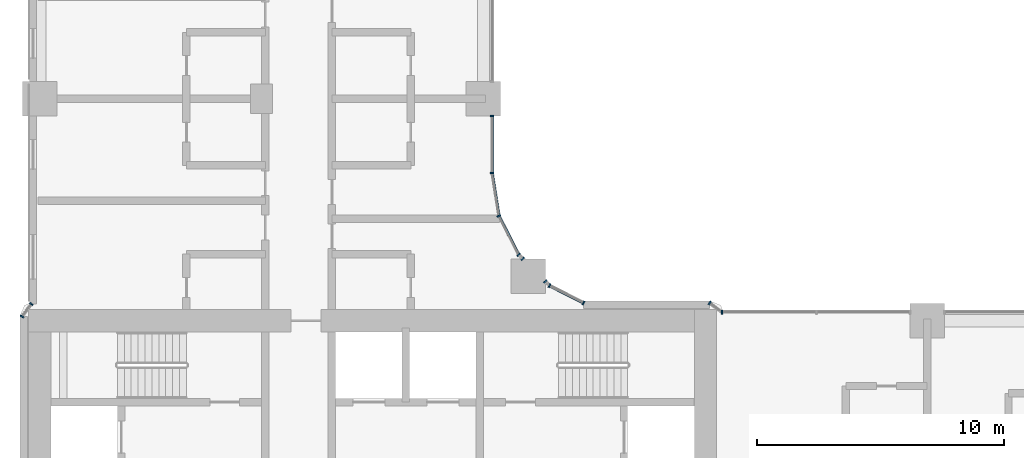
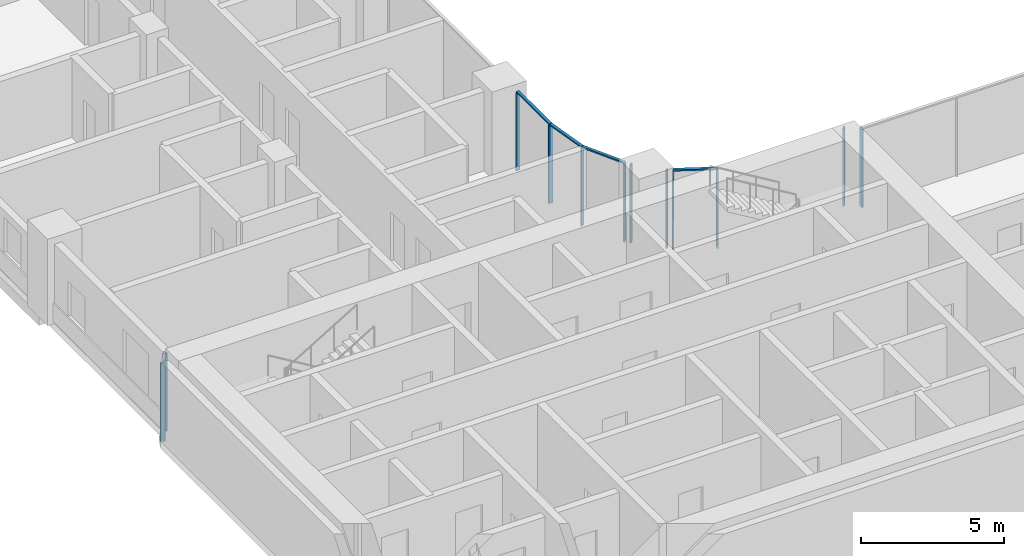
# One storey, part 2 of 31: 16 members, 6 elements without a shape of their own.
"""IFC4 building model written with IfcOpenShell, lengths in metres."""

import ifcopenshell
import ifcopenshell.guid

model = None  # the IFC model being written
_history = None  # IfcOwnerHistory: only IFC2X3 demands one
_inside = {}  # id of a spatial element -> (the spatial element, [elements in it])
_under = {}  # id of a project, library or spatial element -> (it, [spatial elements below it])
_declared = {}  # id of a project -> (the project, [libraries it declares])
_typed = {}  # id of a type object -> (the type object, [elements of that type])
_made_of = {}  # id of a material, layer set ... -> (it, [elements and type objects made of it])


def new_model(schema):
    """Start an empty IFC model of exactly this schema.

    Asked for "IFC4X3", IfcOpenShell would pick the latest addendum, in which some entities
    have other attributes; the version numbers below select the first issue.
    IFC2X3 requires an IfcOwnerHistory on every rooted entity: one is made here for all.
    """
    global model, _history
    if schema == "IFC4X3":
        model = ifcopenshell.file(schema_version=(4, 3, 0, 0))
    else:
        model = ifcopenshell.file(schema=schema)
    _inside.clear()
    _under.clear()
    _declared.clear()
    _typed.clear()
    _made_of.clear()
    _history = None
    if model.schema == "IFC2X3":
        org = make("IfcOrganization", Name="unknown")
        user = make(
            "IfcPersonAndOrganization",
            ThePerson=make("IfcPerson", FamilyName="unknown"),
            TheOrganization=org,
        )
        app = make(
            "IfcApplication",
            ApplicationDeveloper=org,
            Version="unknown",
            ApplicationFullName="unknown",
            ApplicationIdentifier="unknown",
        )
        _history = make(
            "IfcOwnerHistory",
            OwningUser=user,
            OwningApplication=app,
            ChangeAction="ADDED",
            CreationDate=0,
        )
    return model


def make(cls, **values):
    """One entity of the class cls with the attributes given. An attribute that is None is left unset."""
    return model.create_entity(
        cls, **{name: value for name, value in values.items() if value is not None}
    )


def rooted(cls, **values):
    """An entity with a GlobalId (a new one), such as an element, a storey or a relation."""
    return make(cls, GlobalId=ifcopenshell.guid.new(), OwnerHistory=_history, **values)


def si_unit(unit_type, name, prefix=None):
    """IfcSIUnit, for example si_unit("LENGTHUNIT", "METRE", prefix="MILLI")."""
    return make("IfcSIUnit", UnitType=unit_type, Prefix=prefix, Name=name)


def assignment(units):
    """IfcUnitAssignment: the units of a project."""
    return None if units is None else make("IfcUnitAssignment", Units=units)


def point(xyz):
    """IfcCartesianPoint."""
    return None if xyz is None else make("IfcCartesianPoint", Coordinates=xyz)


def direction(xyz):
    """IfcDirection."""
    return None if xyz is None else make("IfcDirection", DirectionRatios=xyz)


def frame(location, z_axis=None, x_axis=None):
    """IfcAxis2Placement3D, a coordinate frame: its origin and axes. An axis left out is left unset."""
    return make(
        "IfcAxis2Placement3D",
        Location=point(location),
        Axis=direction(z_axis),
        RefDirection=direction(x_axis),
    )


def frame_2d(location, x_axis=None):
    """IfcAxis2Placement2D, a coordinate frame in the plane: its origin and x axis."""
    return make(
        "IfcAxis2Placement2D", Location=point(location), RefDirection=direction(x_axis)
    )


def origin():
    """The frame at (0, 0, 0) with its axes left unset."""
    return frame((0.0, 0.0, 0.0))


def origin_2d():
    """The frame at (0, 0) in the plane with its x axis left unset."""
    return frame_2d((0.0, 0.0))


def place(relative_to, where):
    """IfcLocalPlacement: puts the frame where relative to a parent placement (None: the world)."""
    return make(
        "IfcLocalPlacement", PlacementRelTo=relative_to, RelativePlacement=where
    )


def context(
    kind, dimensions, precision=None, world=None, true_north=None, identifier=None
):
    """IfcGeometricRepresentationContext, for example the 3D "Model" context."""
    return make(
        "IfcGeometricRepresentationContext",
        ContextIdentifier=identifier,
        ContextType=kind,
        CoordinateSpaceDimension=dimensions,
        Precision=precision,
        WorldCoordinateSystem=world,
        TrueNorth=true_north,
    )


def subcontext(parent, identifier, kind, view, scale=None):
    """IfcGeometricRepresentationSubContext, for example "Body" below "Model"."""
    return make(
        "IfcGeometricRepresentationSubContext",
        ContextIdentifier=identifier,
        ContextType=kind,
        ParentContext=parent,
        TargetScale=scale,
        TargetView=view,
    )


def project(units=None, contexts=None):
    """IfcProject with its units and contexts."""
    return rooted(
        "IfcProject",
        Name="project",
        RepresentationContexts=contexts,
        UnitsInContext=assignment(units),
    )


def spatial(cls, under=None, at=None, **own):
    """A site, building, storey or space (cls), placed at a placement, below another one or the project."""
    s = rooted(cls, ObjectPlacement=at, **own)
    if under is not None:
        _under.setdefault(under.id(), (under, []))[1].append(s)
    return s


def profile(cls, at=None, kind="AREA", **sizes):
    """A parametric profile (cls). Its sizes go by their IFC names, for example OverallWidth=200.0."""
    return make(cls, ProfileType=kind, Position=at, **sizes)


def rectangle(**sizes):
    """IfcRectangleProfileDef."""
    return profile("IfcRectangleProfileDef", **sizes)


def extrude(swept, where, along, depth):
    """IfcExtrudedAreaSolid: the profile swept, set in the frame where, extruded along a direction by depth."""
    return make(
        "IfcExtrudedAreaSolid",
        SweptArea=swept,
        Position=where,
        ExtrudedDirection=direction(along),
        Depth=depth,
    )


def shape(context_of_items, identifier, shape_type, items):
    """IfcShapeRepresentation: the items that make up one representation, for example the "Body"."""
    return make(
        "IfcShapeRepresentation",
        ContextOfItems=context_of_items,
        RepresentationIdentifier=identifier,
        RepresentationType=shape_type,
        Items=items,
    )


def material(Name=None, Category=None):
    """IfcMaterial."""
    return make("IfcMaterial", Name=Name, Category=Category)


def material_profile(
    of_material, cross_section, Name=None, Category=None, Priority=None
):
    """IfcMaterialProfile: a cross section and its material."""
    return make(
        "IfcMaterialProfile",
        Name=Name,
        Material=of_material,
        Profile=cross_section,
        Priority=Priority,
        Category=Category,
    )


def profile_set(profiles, Name=None, composite=None):
    """IfcMaterialProfileSet."""
    return make(
        "IfcMaterialProfileSet",
        Name=Name,
        MaterialProfiles=profiles,
        CompositeProfile=composite,
    )


def made_of(thing, what):
    """Note that an element or type object is made of a material, layer set ...; save() writes the relation."""
    if what is not None:
        _made_of.setdefault(what.id(), (what, []))[1].append(thing)
    return thing


def type_object(cls, material=None, **own):
    """A type object (cls), such as IfcWallType, which elements share."""
    return made_of(rooted(cls, **own), material)


def element(
    cls,
    number,
    at=None,
    inside=None,
    cuts=None,
    type_object=None,
    material=None,
    context=None,
    identifier="Body",
    shape_type=None,
    held_by="IfcProductDefinitionShape",
    body=None,
    shapes=None,
    **own,
):
    """One element of the class cls, such as IfcWall. Its Tag is "e" and its number.

    at: its placement. inside: the storey or other place that contains it. cuts: it is an
    opening in that element (IfcRelVoidsElement). A single representation is given by context,
    identifier, shape_type and body (its items); several are given by shapes. held_by: the class
    of the entity that holds the representations. save() writes the other relations.
    """
    e = rooted(cls, Tag="e%d" % number, ObjectPlacement=at, **own)
    if body is not None:
        shapes = [shape(context, identifier, shape_type, body)]
    if shapes is not None:
        e.Representation = make(held_by, Representations=shapes)
    if inside is not None:
        _inside.setdefault(inside.id(), (inside, []))[1].append(e)
    if cuts is not None:
        rooted(
            "IfcRelVoidsElement", RelatingBuildingElement=cuts, RelatedOpeningElement=e
        )
    if type_object is not None:
        _typed.setdefault(type_object.id(), (type_object, []))[1].append(e)
    return made_of(e, material)


def aggregate(whole, parts):
    """IfcRelAggregates: a whole, such as a stair, and the parts it consists of."""
    return rooted("IfcRelAggregates", RelatingObject=whole, RelatedObjects=parts)


def save(model, path):
    """Write the relations noted so far, then the file.

    IfcRelAggregates (storeys below a building ...), IfcRelContainedInSpatialStructure (elements
    in a storey), IfcRelDefinesByType, IfcRelAssociatesMaterial and IfcRelDeclares: one each for
    every whole, place, type object, material and project.
    """
    for whole, parts in _under.values():
        aggregate(whole, parts)
    for where, things in _inside.values():
        rooted(
            "IfcRelContainedInSpatialStructure",
            RelatedElements=things,
            RelatingStructure=where,
        )
    for kind, things in _typed.values():
        rooted("IfcRelDefinesByType", RelatedObjects=things, RelatingType=kind)
    for what, things in _made_of.values():
        rooted("IfcRelAssociatesMaterial", RelatedObjects=things, RelatingMaterial=what)
    for by, libraries in _declared.values():
        rooted("IfcRelDeclares", RelatingContext=by, RelatedDefinitions=libraries)
    model.write(path)


model = new_model("IFC4")

# Units and contexts
model_context = context("Model", 3, precision=1e-05, world=origin(), true_north=direction((0.0, 1.0)))
body_context = subcontext(model_context, "Body", "Model", "MODEL_VIEW")
ifc_project = project(units=[si_unit("LENGTHUNIT", "METRE"), si_unit("AREAUNIT", "SQUARE_METRE"), si_unit("VOLUMEUNIT", "CUBIC_METRE"), si_unit("PLANEANGLEUNIT", "RADIAN"), si_unit("MASSUNIT", "GRAM", prefix="KILO")], contexts=[model_context])

# Site, building, storey
site_placement = place(None, origin())
site = spatial("IfcSite", under=ifc_project, at=site_placement, CompositionType="ELEMENT")
building_placement = place(site_placement, origin())
building = spatial("IfcBuilding", under=site, at=building_placement, Name="Ogive Portal Towers", CompositionType="ELEMENT")
storey_placement = place(building_placement, frame((0.0, 0.0, 40.89990234375)))
storey = spatial("IfcBuildingStorey", under=building, at=storey_placement, Name="L08", CompositionType="ELEMENT", Elevation=40.89990234375)

# Curtain wall, members
ifc_material_1 = material(Name="Glass, clear low-iron insulated glazing", Category="glass")
curtain_wall_type = type_object("IfcCurtainWallType", Name="CW FRONT RIBBON 4500", PredefinedType="NOTDEFINED", material=ifc_material_1)
curtain_wall_1_placement = place(storey_placement, origin())
curtain_wall_1 = element("IfcCurtainWall", 1, at=curtain_wall_1_placement, inside=storey, type_object=curtain_wall_type, Name="A:L08:f06:cw0~0", PredefinedType="NOTDEFINED")
ifc_material_2 = material(Name="Aluminium 6063 anodised", Category="aluminium")
ifc_material_profile_1 = material_profile(ifc_material_2, rectangle(XDim=0.159912109375, YDim=0.06005859375, at=origin_2d()), Name="AL 60x160")
ifc_profile_set_1 = profile_set([ifc_material_profile_1], Name="Aluminium 6063 anodised")
member_type_1 = type_object("IfcMemberType", Name="CW MULLION 60x160", PredefinedType="MULLION", material=ifc_profile_set_1)
member_1_placement = place(storey_placement, frame((49.844970703125, 45.49365234375, 0.0), z_axis=(0.0, 0.0, 1.0), x_axis=(-1.0, 0.0, 0.0)))
member_1 = element("IfcMember", 2, at=member_1_placement, type_object=member_type_1, Name="mullion", PredefinedType="MULLION", context=body_context, shape_type="SweptSolid", body=[
    extrude(rectangle(XDim=0.159912109375, YDim=0.06005859375, at=origin_2d()), origin(), (0.0, 0.0, 1.0), 3.340087890625),
])
member_2_placement = place(storey_placement, frame((49.844970703125, 47.800048828125, 0.0), z_axis=(0.0, 0.0, 1.0), x_axis=(-1.0, 0.0, 0.0)))
member_2 = element("IfcMember", 3, at=member_2_placement, type_object=member_type_1, Name="mullion", PredefinedType="MULLION", context=body_context, shape_type="SweptSolid", body=[
    extrude(rectangle(XDim=0.159912109375, YDim=0.06005859375, at=origin_2d()), origin(), (0.0, 0.0, 1.0), 3.340087890625),
])

# Curtain wall, member
curtain_wall_2_placement = place(storey_placement, origin())
curtain_wall_2 = element("IfcCurtainWall", 4, at=curtain_wall_2_placement, inside=storey, type_object=curtain_wall_type, Name="A:L08:f27:cw0~3", PredefinedType="NOTDEFINED")
member_3_placement = place(storey_placement, frame((59.180419921875, 39.844970703125, 0.0), z_axis=(0.0, 0.0, 1.0), x_axis=(0.0, -1.0, 0.0)))
member_3 = element("IfcMember", 5, at=member_3_placement, type_object=member_type_1, Name="mullion", PredefinedType="MULLION", context=body_context, shape_type="SweptSolid", body=[
    extrude(rectangle(XDim=0.159912109375, YDim=0.06005859375, at=origin_2d()), origin(), (0.0, 0.0, 1.0), 3.340087890625),
])
aggregate(curtain_wall_2, [member_3])

curtain_wall_3_placement = place(storey_placement, origin())
curtain_wall_3 = element("IfcCurtainWall", 6, at=curtain_wall_3_placement, inside=storey, type_object=curtain_wall_type, Name="A:L08:f00:cwa", PredefinedType="NOTDEFINED")
member_4_placement = place(storey_placement, frame((58.673583984375, 40.219970703125, 0.0), z_axis=(0.0, 0.0, 1.0), x_axis=(-0.594808729844, -0.803867261991, 0.0)))
member_4 = element("IfcMember", 7, at=member_4_placement, type_object=member_type_1, Name="mullion", PredefinedType="MULLION", context=body_context, shape_type="SweptSolid", body=[
    extrude(rectangle(XDim=0.159912109375, YDim=0.06005859375, at=origin_2d()), origin(), (0.0, 0.0, 1.0), 3.340087890625),
])
aggregate(curtain_wall_3, [member_4])

# Curtain wall, members
curtain_wall_4_placement = place(storey_placement, origin())
curtain_wall_4 = element("IfcCurtainWall", 8, at=curtain_wall_4_placement, inside=storey, type_object=curtain_wall_type, Name="A:L08:f02:cwa~0", PredefinedType="NOTDEFINED")
member_5_placement = place(storey_placement, frame((53.5576171875, 40.219970703125, 0.0), z_axis=(0.0, 0.0, 1.0), x_axis=(-0.45399049974, -0.891006524188, 0.0)))
member_5 = element("IfcMember", 9, at=member_5_placement, type_object=member_type_1, Name="mullion", PredefinedType="MULLION", context=body_context, shape_type="SweptSolid", body=[
    extrude(rectangle(XDim=0.159912109375, YDim=0.06005859375, at=origin_2d()), origin(), (0.0, 0.0, 1.0), 3.340087890625),
])
member_6_placement = place(storey_placement, frame((52.175537109375, 40.92431640625, 0.0), z_axis=(0.0, 0.0, 1.0), x_axis=(-0.45399049974, -0.891006524188, 0.0)))
member_6 = element("IfcMember", 10, at=member_6_placement, type_object=member_type_1, Name="mullion", PredefinedType="MULLION", context=body_context, shape_type="SweptSolid", body=[
    extrude(rectangle(XDim=0.159912109375, YDim=0.06005859375, at=origin_2d()), origin(), (0.0, 0.0, 1.0), 3.340087890625),
])
member_7_placement = place(storey_placement, frame((52.010009765625, 41.089599609375, 0.0), z_axis=(0.0, 0.0, 1.0), x_axis=(-0.707106781187, -0.707106781187, 0.0)))
member_7 = element("IfcMember", 11, at=member_7_placement, type_object=member_type_1, Name="mullion", PredefinedType="MULLION", context=body_context, shape_type="SweptSolid", body=[
    extrude(rectangle(XDim=0.159912109375, YDim=0.06005859375, at=origin_2d()), origin(), (0.0, 0.0, 1.0), 3.340087890625),
])

curtain_wall_5_placement = place(storey_placement, origin())
curtain_wall_5 = element("IfcCurtainWall", 12, at=curtain_wall_5_placement, inside=storey, type_object=curtain_wall_type, Name="A:L08:f02:cwa~1", PredefinedType="NOTDEFINED")
member_8_placement = place(storey_placement, frame((51.089599609375, 42.010009765625, 0.0), z_axis=(0.0, 0.0, 1.0), x_axis=(-0.707106781187, -0.707106781187, 0.0)))
member_8 = element("IfcMember", 13, at=member_8_placement, type_object=member_type_1, Name="mullion", PredefinedType="MULLION", context=body_context, shape_type="SweptSolid", body=[
    extrude(rectangle(XDim=0.159912109375, YDim=0.06005859375, at=origin_2d()), origin(), (0.0, 0.0, 1.0), 3.340087890625),
])
member_9_placement = place(storey_placement, frame((50.92431640625, 42.175537109375, 0.0), z_axis=(0.0, 0.0, 1.0), x_axis=(-0.707106781187, -0.707106781187, 0.0)))
member_9 = element("IfcMember", 14, at=member_9_placement, type_object=member_type_1, Name="mullion", PredefinedType="MULLION", context=body_context, shape_type="SweptSolid", body=[
    extrude(rectangle(XDim=0.159912109375, YDim=0.06005859375, at=origin_2d()), origin(), (0.0, 0.0, 1.0), 3.340087890625),
])
member_10_placement = place(storey_placement, frame((50.120849609375, 43.752197265625, 0.0), z_axis=(0.0, 0.0, 1.0), x_axis=(-0.891006524188, -0.45399049974, 0.0)))
member_10 = element("IfcMember", 15, at=member_10_placement, type_object=member_type_1, Name="mullion", PredefinedType="MULLION", context=body_context, shape_type="SweptSolid", body=[
    extrude(rectangle(XDim=0.159912109375, YDim=0.06005859375, at=origin_2d()), origin(), (0.0, 0.0, 1.0), 3.340087890625),
])

curtain_wall_6_placement = place(storey_placement, origin())
curtain_wall_6 = element("IfcCurtainWall", 16, at=curtain_wall_6_placement, inside=storey, type_object=curtain_wall_type, Name="A:L08:f14:cwa", PredefinedType="NOTDEFINED")
member_11_placement = place(storey_placement, frame((31.155029296875, 40.180419921875, 0.0), z_axis=(0.0, 0.0, 1.0), x_axis=(0.803867261991, -0.594808729844, 0.0)))
member_11 = element("IfcMember", 17, at=member_11_placement, type_object=member_type_1, Name="mullion", PredefinedType="MULLION", context=body_context, shape_type="SweptSolid", body=[
    extrude(rectangle(XDim=0.159912109375, YDim=0.06005859375, at=origin_2d()), origin(), (0.0, 0.0, 1.0), 3.340087890625),
])
member_12_placement = place(storey_placement, frame((30.780029296875, 39.673583984375, 0.0), z_axis=(0.0, 0.0, 1.0), x_axis=(0.803867261991, -0.594808729844, 0.0)))
member_12 = element("IfcMember", 18, at=member_12_placement, type_object=member_type_1, Name="mullion", PredefinedType="MULLION", context=body_context, shape_type="SweptSolid", body=[
    extrude(rectangle(XDim=0.159912109375, YDim=0.06005859375, at=origin_2d()), origin(), (0.0, 0.0, 1.0), 3.340087890625),
])
aggregate(curtain_wall_6, [member_11, member_12])

# Member
ifc_material_profile_2 = material_profile(ifc_material_2, rectangle(XDim=0.1201171875, YDim=0.06005859375, at=origin_2d()), Name="AL 120x60")
ifc_profile_set_2 = profile_set([ifc_material_profile_2], Name="Aluminium 6063 anodised")
member_type_2 = type_object("IfcMemberType", Name="CW TRANSOM 60x120", PredefinedType="USERDEFINED", material=ifc_profile_set_2)
member_13_placement = place(storey_placement, frame((49.844970703125, 45.49365234375, 3.3701171875), z_axis=(0.0, 1.0, 0.0), x_axis=(-1.0, 0.0, 0.0)))
member_13 = element("IfcMember", 19, at=member_13_placement, type_object=member_type_2, Name="transom", ObjectType="TRANSOM", PredefinedType="USERDEFINED", context=body_context, shape_type="SweptSolid", body=[
    extrude(rectangle(XDim=0.1201171875, YDim=0.06005859375, at=origin_2d()), origin(), (0.0, 0.0, 1.0), 2.306396484375),
])

aggregate(curtain_wall_1, [member_13, member_1, member_2])

member_14_placement = place(storey_placement, frame((53.5576171875, 40.219970703125, 3.3701171875), z_axis=(-0.89096982311, 0.454062522465, 0.0), x_axis=(-0.454062522465, -0.89096982311, 0.0)))
member_14 = element("IfcMember", 20, at=member_14_placement, type_object=member_type_2, Name="transom", ObjectType="TRANSOM", PredefinedType="USERDEFINED", context=body_context, shape_type="SweptSolid", body=[
    extrude(rectangle(XDim=0.1201171875, YDim=0.06005859375, at=origin_2d()), origin(), (0.0, 0.0, 1.0), 1.55126953125),
])

aggregate(curtain_wall_4, [member_14, member_5, member_6, member_7])

member_15_placement = place(storey_placement, frame((50.92431640625, 42.175537109375, 3.3701171875), z_axis=(-0.454043582135, 0.890979475365, 0.0), x_axis=(-0.890979475365, -0.454043582135, 0.0)))
member_15 = element("IfcMember", 21, at=member_15_placement, type_object=member_type_2, Name="transom", ObjectType="TRANSOM", PredefinedType="USERDEFINED", context=body_context, shape_type="SweptSolid", body=[
    extrude(rectangle(XDim=0.1201171875, YDim=0.06005859375, at=origin_2d()), origin(), (0.0, 0.0, 1.0), 1.76953125),
])

member_16_placement = place(storey_placement, frame((50.120849609375, 43.752197265625, 3.3701171875), z_axis=(-0.156467395285, 0.987683124394, 0.0), x_axis=(-0.987683124394, -0.156467395285, 0.0)))
member_16 = element("IfcMember", 22, at=member_16_placement, type_object=member_type_2, Name="transom", ObjectType="TRANSOM", PredefinedType="USERDEFINED", context=body_context, shape_type="SweptSolid", body=[
    extrude(rectangle(XDim=0.1201171875, YDim=0.06005859375, at=origin_2d()), origin(), (0.0, 0.0, 1.0), 1.76318359375),
])

aggregate(curtain_wall_5, [member_15, member_16, member_8, member_9, member_10])

save(model, "model.ifc")
